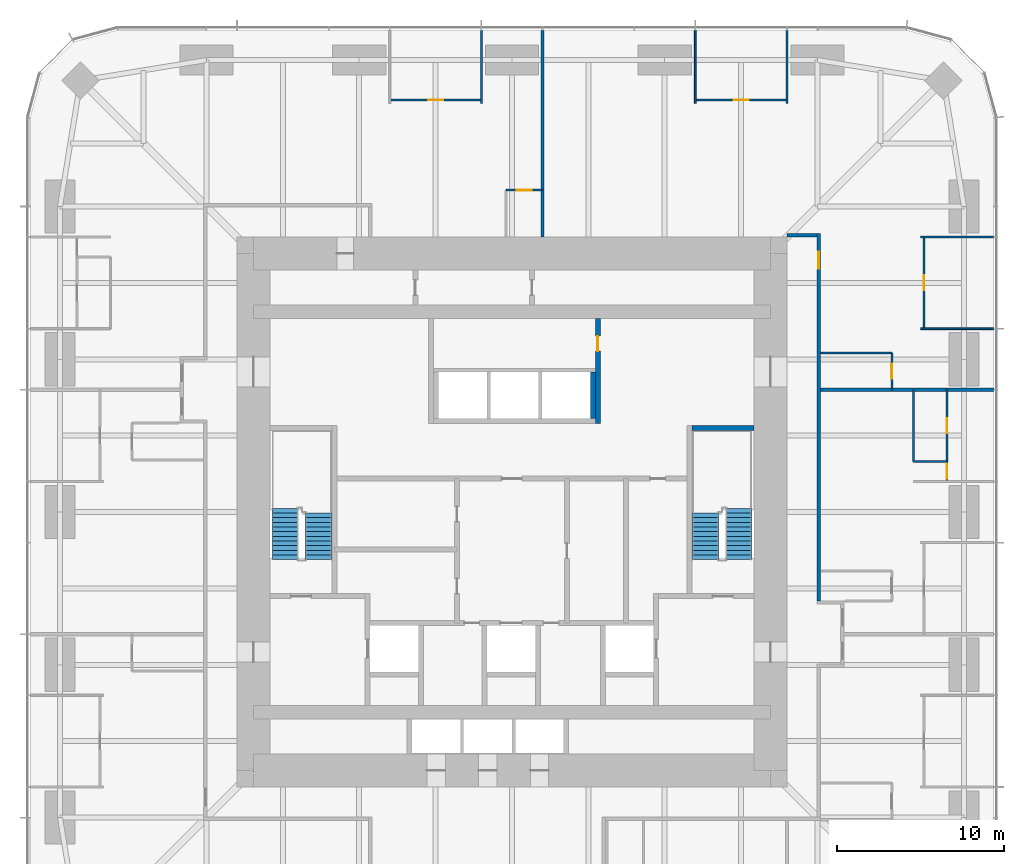
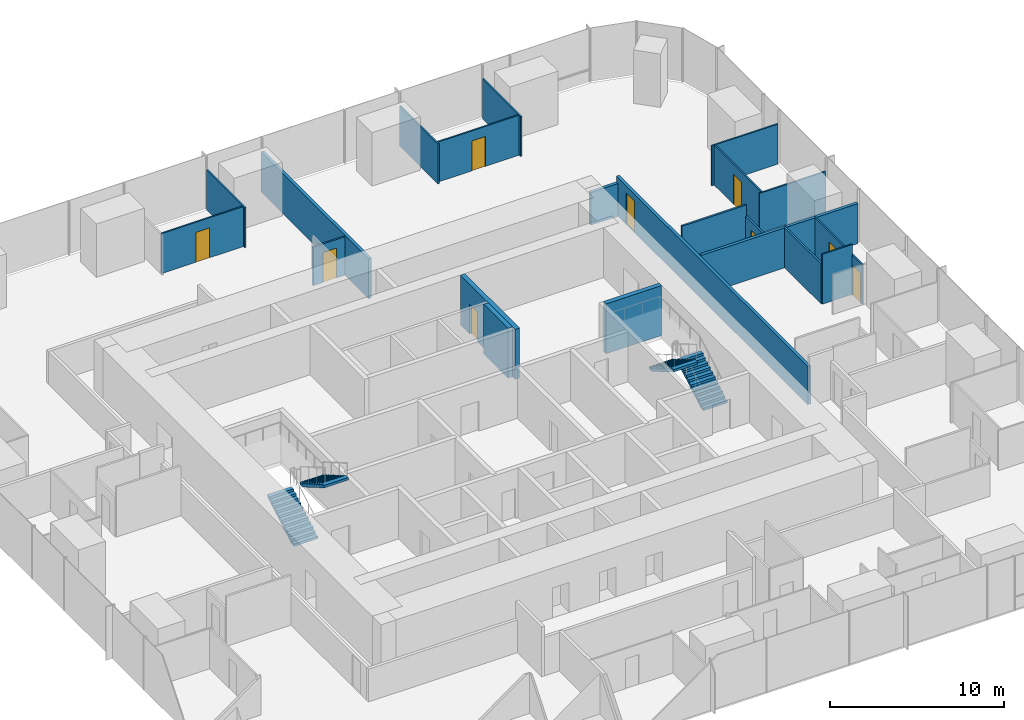
# One storey, part 12 of 13: 21 walls, 9 doors, 4 stair flights, 9 openings, 2 elements without a shape of their own.
"""IFC4 building model written with IfcOpenShell, lengths in metres."""

import ifcopenshell
import ifcopenshell.guid

model = None  # the IFC model being written
_history = None  # IfcOwnerHistory: only IFC2X3 demands one
_inside = {}  # id of a spatial element -> (the spatial element, [elements in it])
_under = {}  # id of a project, library or spatial element -> (it, [spatial elements below it])
_declared = {}  # id of a project -> (the project, [libraries it declares])
_typed = {}  # id of a type object -> (the type object, [elements of that type])
_made_of = {}  # id of a material, layer set ... -> (it, [elements and type objects made of it])


def new_model(schema):
    """Start an empty IFC model of exactly this schema.

    Asked for "IFC4X3", IfcOpenShell would pick the latest addendum, in which some entities
    have other attributes; the version numbers below select the first issue.
    IFC2X3 requires an IfcOwnerHistory on every rooted entity: one is made here for all.
    """
    global model, _history
    if schema == "IFC4X3":
        model = ifcopenshell.file(schema_version=(4, 3, 0, 0))
    else:
        model = ifcopenshell.file(schema=schema)
    _inside.clear()
    _under.clear()
    _declared.clear()
    _typed.clear()
    _made_of.clear()
    _history = None
    if model.schema == "IFC2X3":
        org = make("IfcOrganization", Name="unknown")
        user = make(
            "IfcPersonAndOrganization",
            ThePerson=make("IfcPerson", FamilyName="unknown"),
            TheOrganization=org,
        )
        app = make(
            "IfcApplication",
            ApplicationDeveloper=org,
            Version="unknown",
            ApplicationFullName="unknown",
            ApplicationIdentifier="unknown",
        )
        _history = make(
            "IfcOwnerHistory",
            OwningUser=user,
            OwningApplication=app,
            ChangeAction="ADDED",
            CreationDate=0,
        )
    return model


def make(cls, **values):
    """One entity of the class cls with the attributes given. An attribute that is None is left unset."""
    return model.create_entity(
        cls, **{name: value for name, value in values.items() if value is not None}
    )


def rooted(cls, **values):
    """An entity with a GlobalId (a new one), such as an element, a storey or a relation."""
    return make(cls, GlobalId=ifcopenshell.guid.new(), OwnerHistory=_history, **values)


def si_unit(unit_type, name, prefix=None):
    """IfcSIUnit, for example si_unit("LENGTHUNIT", "METRE", prefix="MILLI")."""
    return make("IfcSIUnit", UnitType=unit_type, Prefix=prefix, Name=name)


def assignment(units):
    """IfcUnitAssignment: the units of a project."""
    return None if units is None else make("IfcUnitAssignment", Units=units)


def point(xyz):
    """IfcCartesianPoint."""
    return None if xyz is None else make("IfcCartesianPoint", Coordinates=xyz)


def direction(xyz):
    """IfcDirection."""
    return None if xyz is None else make("IfcDirection", DirectionRatios=xyz)


def frame(location, z_axis=None, x_axis=None):
    """IfcAxis2Placement3D, a coordinate frame: its origin and axes. An axis left out is left unset."""
    return make(
        "IfcAxis2Placement3D",
        Location=point(location),
        Axis=direction(z_axis),
        RefDirection=direction(x_axis),
    )


def frame_2d(location, x_axis=None):
    """IfcAxis2Placement2D, a coordinate frame in the plane: its origin and x axis."""
    return make(
        "IfcAxis2Placement2D", Location=point(location), RefDirection=direction(x_axis)
    )


def origin():
    """The frame at (0, 0, 0) with its axes left unset."""
    return frame((0.0, 0.0, 0.0))


def place(relative_to, where):
    """IfcLocalPlacement: puts the frame where relative to a parent placement (None: the world)."""
    return make(
        "IfcLocalPlacement", PlacementRelTo=relative_to, RelativePlacement=where
    )


def context(
    kind, dimensions, precision=None, world=None, true_north=None, identifier=None
):
    """IfcGeometricRepresentationContext, for example the 3D "Model" context."""
    return make(
        "IfcGeometricRepresentationContext",
        ContextIdentifier=identifier,
        ContextType=kind,
        CoordinateSpaceDimension=dimensions,
        Precision=precision,
        WorldCoordinateSystem=world,
        TrueNorth=true_north,
    )


def subcontext(parent, identifier, kind, view, scale=None):
    """IfcGeometricRepresentationSubContext, for example "Body" below "Model"."""
    return make(
        "IfcGeometricRepresentationSubContext",
        ContextIdentifier=identifier,
        ContextType=kind,
        ParentContext=parent,
        TargetScale=scale,
        TargetView=view,
    )


def project(units=None, contexts=None):
    """IfcProject with its units and contexts."""
    return rooted(
        "IfcProject",
        Name="project",
        RepresentationContexts=contexts,
        UnitsInContext=assignment(units),
    )


def spatial(cls, under=None, at=None, **own):
    """A site, building, storey or space (cls), placed at a placement, below another one or the project."""
    s = rooted(cls, ObjectPlacement=at, **own)
    if under is not None:
        _under.setdefault(under.id(), (under, []))[1].append(s)
    return s


def polyline(points):
    """IfcPolyline through the points."""
    return make("IfcPolyline", Points=[point(p) for p in points])


def profile(cls, at=None, kind="AREA", **sizes):
    """A parametric profile (cls). Its sizes go by their IFC names, for example OverallWidth=200.0."""
    return make(cls, ProfileType=kind, Position=at, **sizes)


def rectangle(**sizes):
    """IfcRectangleProfileDef."""
    return profile("IfcRectangleProfileDef", **sizes)


def outline(outer, holes=None, kind="AREA"):
    """IfcArbitraryClosedProfileDef: a profile drawn as a closed curve; with holes, ...WithVoids."""
    if holes is None:
        return make("IfcArbitraryClosedProfileDef", ProfileType=kind, OuterCurve=outer)
    return make(
        "IfcArbitraryProfileDefWithVoids",
        ProfileType=kind,
        OuterCurve=outer,
        InnerCurves=holes,
    )


def extrude(swept, where, along, depth):
    """IfcExtrudedAreaSolid: the profile swept, set in the frame where, extruded along a direction by depth."""
    return make(
        "IfcExtrudedAreaSolid",
        SweptArea=swept,
        Position=where,
        ExtrudedDirection=direction(along),
        Depth=depth,
    )


def shape(context_of_items, identifier, shape_type, items):
    """IfcShapeRepresentation: the items that make up one representation, for example the "Body"."""
    return make(
        "IfcShapeRepresentation",
        ContextOfItems=context_of_items,
        RepresentationIdentifier=identifier,
        RepresentationType=shape_type,
        Items=items,
    )


def material(Name=None, Category=None):
    """IfcMaterial."""
    return make("IfcMaterial", Name=Name, Category=Category)


def layer(
    of_material, thickness, ventilated=None, Name=None, Category=None, Priority=None
):
    """IfcMaterialLayer: one layer of a wall or slab, of a material (None: an air gap)."""
    return make(
        "IfcMaterialLayer",
        Material=of_material,
        LayerThickness=thickness,
        IsVentilated=ventilated,
        Name=Name,
        Category=Category,
        Priority=Priority,
    )


def layer_set(layers, Name=None):
    """IfcMaterialLayerSet."""
    return make("IfcMaterialLayerSet", MaterialLayers=layers, LayerSetName=Name)


def made_of(thing, what):
    """Note that an element or type object is made of a material, layer set ...; save() writes the relation."""
    if what is not None:
        _made_of.setdefault(what.id(), (what, []))[1].append(thing)
    return thing


def type_object(cls, material=None, **own):
    """A type object (cls), such as IfcWallType, which elements share."""
    return made_of(rooted(cls, **own), material)


def element(
    cls,
    number,
    at=None,
    inside=None,
    cuts=None,
    type_object=None,
    material=None,
    context=None,
    identifier="Body",
    shape_type=None,
    held_by="IfcProductDefinitionShape",
    body=None,
    shapes=None,
    **own,
):
    """One element of the class cls, such as IfcWall. Its Tag is "e" and its number.

    at: its placement. inside: the storey or other place that contains it. cuts: it is an
    opening in that element (IfcRelVoidsElement). A single representation is given by context,
    identifier, shape_type and body (its items); several are given by shapes. held_by: the class
    of the entity that holds the representations. save() writes the other relations.
    """
    e = rooted(cls, Tag="e%d" % number, ObjectPlacement=at, **own)
    if body is not None:
        shapes = [shape(context, identifier, shape_type, body)]
    if shapes is not None:
        e.Representation = make(held_by, Representations=shapes)
    if inside is not None:
        _inside.setdefault(inside.id(), (inside, []))[1].append(e)
    if cuts is not None:
        rooted(
            "IfcRelVoidsElement", RelatingBuildingElement=cuts, RelatedOpeningElement=e
        )
    if type_object is not None:
        _typed.setdefault(type_object.id(), (type_object, []))[1].append(e)
    return made_of(e, material)


def fill(opening, filler):
    """IfcRelFillsElement: the door or window that sits in an opening."""
    return rooted(
        "IfcRelFillsElement",
        RelatingOpeningElement=opening,
        RelatedBuildingElement=filler,
    )


def aggregate(whole, parts):
    """IfcRelAggregates: a whole, such as a stair, and the parts it consists of."""
    return rooted("IfcRelAggregates", RelatingObject=whole, RelatedObjects=parts)


def save(model, path):
    """Write the relations noted so far, then the file.

    IfcRelAggregates (storeys below a building ...), IfcRelContainedInSpatialStructure (elements
    in a storey), IfcRelDefinesByType, IfcRelAssociatesMaterial and IfcRelDeclares: one each for
    every whole, place, type object, material and project.
    """
    for whole, parts in _under.values():
        aggregate(whole, parts)
    for where, things in _inside.values():
        rooted(
            "IfcRelContainedInSpatialStructure",
            RelatedElements=things,
            RelatingStructure=where,
        )
    for kind, things in _typed.values():
        rooted("IfcRelDefinesByType", RelatedObjects=things, RelatingType=kind)
    for what, things in _made_of.values():
        rooted("IfcRelAssociatesMaterial", RelatedObjects=things, RelatingMaterial=what)
    for by, libraries in _declared.values():
        rooted("IfcRelDeclares", RelatingContext=by, RelatedDefinitions=libraries)
    model.write(path)


model = new_model("IFC4")

# Units and contexts
model_context = context("Model", 3, precision=1e-05, world=origin(), true_north=direction((0.0, 1.0)))
body_context = subcontext(model_context, "Body", "Model", "MODEL_VIEW")
ifc_project = project(units=[si_unit("LENGTHUNIT", "METRE"), si_unit("AREAUNIT", "SQUARE_METRE"), si_unit("VOLUMEUNIT", "CUBIC_METRE"), si_unit("PLANEANGLEUNIT", "RADIAN"), si_unit("MASSUNIT", "GRAM", prefix="KILO")], contexts=[model_context])

# Site, building, storey
site_placement = place(None, origin())
site = spatial("IfcSite", under=ifc_project, at=site_placement, CompositionType="ELEMENT")
building_placement = place(site_placement, origin())
building = spatial("IfcBuilding", under=site, at=building_placement, Name="Khuree Lantern Residences", CompositionType="ELEMENT")
storey_placement = place(building_placement, frame((0.0, 0.0, 126.0)))
storey = spatial("IfcBuildingStorey", under=building, at=storey_placement, Name="L31", CompositionType="ELEMENT", Elevation=126.0)

# Wall
ifc_material_1 = material(Name="Moisture-resistant gypsum board on steel studs", Category="steel")
ifc_layer_1 = layer(ifc_material_1, 0.125)
ifc_layer_set_1 = layer_set([ifc_layer_1], Name="BATHROOM WALL BTW125")
wall_type_1 = type_object("IfcWallType", Name="BATHROOM WALL BTW125", PredefinedType="PARTITIONING", material=ifc_layer_set_1)
wall_1_placement = place(storey_placement, frame((24.079833984375, 3.031982421875, 0.0), z_axis=(0.0, 0.0, 1.0), x_axis=(0.0, 1.0, 0.0)))
element("IfcWall", 1, at=wall_1_placement, inside=storey, type_object=wall_type_1, Name="L31 BATHROOM WALL 01", PredefinedType="PARTITIONING", context=body_context, shape_type="SweptSolid", body=[
    extrude(rectangle(XDim=4.2958984375, YDim=0.125, at=frame_2d((2.14794921875, 0.0))), origin(), (0.0, 0.0, 1.0), 2.81005859375),
])

# Wall, opening, door
wall_2_placement = place(storey_placement, frame((22.77978515625, 7.327880859375, 0.0), z_axis=(0.0, 0.0, 1.0), x_axis=(0.0, 1.0, 0.0)))
wall_2 = element("IfcWall", 2, at=wall_2_placement, inside=storey, type_object=wall_type_1, Name="L31 BATHROOM WALL 02", PredefinedType="PARTITIONING", context=body_context, shape_type="SweptSolid", body=[
    extrude(rectangle(XDim=2.2001953125, YDim=0.125, at=frame_2d((1.10009765625, 0.0))), origin(), (0.0, 0.0, 1.0), 2.699951171875),
])
opening_1_placement = place(wall_2_placement, frame((0.64990234375, 0.0, 0.0)))
opening_1 = element("IfcOpeningElement", 3, at=opening_1_placement, cuts=wall_2, Name="Opening 31-031", PredefinedType="OPENING", context=body_context, shape_type="SweptSolid", body=[
    extrude(rectangle(XDim=0.89990234375, YDim=2.10009765625, at=frame_2d((0.449951171875, 1.050048828125))), frame((0.0, 0.072509765625, 0.0), z_axis=(0.0, -1.0, 0.0), x_axis=(1.0, 0.0, 0.0)), (0.0, 0.0, 1.0), 0.14501953125),
])
ifc_material_2 = material(Name="Timber door leaf in hardwood frame", Category="wood")
door_type_1 = type_object("IfcDoorType", Name="BATHROOM DOOR 900X2100", OperationType="SINGLE_SWING_LEFT", PredefinedType="DOOR", material=ifc_material_2)
door_1_placement = place(opening_1_placement, origin())
door_1 = element("IfcDoor", 4, at=door_1_placement, inside=storey, type_object=door_type_1, Name="Bathroom door 31-031", OperationType="SINGLE_SWING_LEFT", OverallHeight=2.10009765625, OverallWidth=0.89990234375, PredefinedType="DOOR", context=body_context, shape_type="SweptSolid", body=[
    extrude(rectangle(XDim=0.89990234375, YDim=2.10009765625, at=frame_2d((0.449951171875, 1.050048828125))), frame((0.0, 0.02490234375, 0.0), z_axis=(0.0, -1.0, 0.0), x_axis=(1.0, 0.0, 0.0)), (0.0, 0.0, 1.0), 0.050048828125),
])
fill(opening_1, door_1)

# Wall
wall_3_placement = place(storey_placement, frame((18.5, 9.528076171875, 0.0), z_axis=(0.0, 0.0, 1.0), x_axis=(1.0, 0.0, 0.0)))
element("IfcWall", 5, at=wall_3_placement, inside=storey, type_object=wall_type_1, Name="L31 BATHROOM WALL 02", PredefinedType="PARTITIONING", context=body_context, shape_type="SweptSolid", body=[
    extrude(rectangle(XDim=4.27978515625, YDim=0.125, at=frame_2d((2.139892578125, 0.0))), origin(), (0.0, 0.0, 1.0), 3.5),
])

# Wall, opening, door
wall_4_placement = place(storey_placement, frame((1.83203125, 19.300048828125, 0.0), z_axis=(0.0, 0.0, 1.0), x_axis=(-1.0, 0.0, 0.0)))
wall_4 = element("IfcWall", 6, at=wall_4_placement, inside=storey, type_object=wall_type_1, Name="L31 BATHROOM WALL 03", PredefinedType="PARTITIONING", context=body_context, shape_type="SweptSolid", body=[
    extrude(rectangle(XDim=2.199951171875, YDim=0.125, at=frame_2d((1.10009765625, 0.0))), origin(), (0.0, 0.0, 1.0), 2.699951171875),
])
opening_2_placement = place(wall_4_placement, frame((0.64990234375, 0.0, 0.0)))
opening_2 = element("IfcOpeningElement", 7, at=opening_2_placement, cuts=wall_4, Name="Opening 31-036", PredefinedType="OPENING", context=body_context, shape_type="SweptSolid", body=[
    extrude(rectangle(XDim=0.89990234375, YDim=2.10009765625, at=frame_2d((0.449951171875, 1.050048828125))), frame((0.0, 0.072509765625, 0.0), z_axis=(0.0, -1.0, 0.0), x_axis=(1.0, 0.0, 0.0)), (0.0, 0.0, 1.0), 0.14501953125),
])
door_2_placement = place(opening_2_placement, origin())
door_2 = element("IfcDoor", 8, at=door_2_placement, inside=storey, type_object=door_type_1, Name="Bathroom door 31-036", OperationType="SINGLE_SWING_LEFT", OverallHeight=2.10009765625, OverallWidth=0.89990234375, PredefinedType="DOOR", context=body_context, shape_type="SweptSolid", body=[
    extrude(rectangle(XDim=0.89990234375, YDim=2.10009765625, at=frame_2d((0.449951171875, 1.050048828125))), frame((0.0, 0.02490234375, 0.0), z_axis=(0.0, -1.0, 0.0), x_axis=(1.0, 0.0, 0.0)), (0.0, 0.0, 1.0), 0.050048828125),
])
fill(opening_2, door_2)

# Wall
ifc_material_3 = material(Name="Dense concrete blockwork", Category="masonry")
ifc_layer_2 = layer(ifc_material_3, 0.300048828125)
ifc_layer_set_2 = layer_set([ifc_layer_2], Name="CORE PARTITION WALL CPW300 EI 120")
wall_type_2 = type_object("IfcWallType", Name="CORE PARTITION WALL CPW300 EI 120", PredefinedType="PARTITIONING", material=ifc_layer_set_2)
wall_5_placement = place(storey_placement, frame((4.85009765625, 5.60009765625, 0.0), z_axis=(0.0, 0.0, 1.0), x_axis=(0.0, 1.0, 0.0)))
element("IfcWall", 9, at=wall_5_placement, inside=storey, type_object=wall_type_2, Name="L31 CORE WALL PHE", PredefinedType="PARTITIONING", context=body_context, shape_type="SweptSolid", body=[
    extrude(rectangle(XDim=2.7998046875, YDim=0.300048828125, at=frame_2d((1.39990234375, 0.0))), origin(), (0.0, 0.0, 1.0), 3.5),
])

# Wall, opening, door
wall_6_placement = place(storey_placement, frame((5.14990234375, 5.300048828125, 0.0), z_axis=(0.0, 0.0, 1.0), x_axis=(0.0, 1.0, 0.0)))
wall_6 = element("IfcWall", 10, at=wall_6_placement, inside=storey, type_object=wall_type_2, Name="L31 CORE WALL NE", PredefinedType="PARTITIONING", context=body_context, shape_type="SweptSolid", body=[
    extrude(rectangle(XDim=6.300048828125, YDim=0.300048828125, at=frame_2d((3.14990234375, 0.0))), origin(), (0.0, 0.0, 1.0), 3.5),
])
opening_3_placement = place(wall_6_placement, frame((4.35009765625, 0.0, 0.0)))
opening_3 = element("IfcOpeningElement", 11, at=opening_3_placement, cuts=wall_6, Name="Opening 31-020", PredefinedType="OPENING", context=body_context, shape_type="SweptSolid", body=[
    extrude(rectangle(XDim=0.89990234375, YDim=2.10009765625, at=frame_2d((0.449951171875, 1.050048828125))), frame((0.0, 0.16015625, 0.0), z_axis=(0.0, -1.0, 0.0), x_axis=(1.0, 0.0, 0.0)), (0.0, 0.0, 1.0), 0.320068359375),
])
door_type_2 = type_object("IfcDoorType", Name="DOOR 900X2100", OperationType="SINGLE_SWING_LEFT", PredefinedType="DOOR", material=ifc_material_2)
door_3_placement = place(opening_3_placement, origin())
door_3 = element("IfcDoor", 12, at=door_3_placement, inside=storey, type_object=door_type_2, Name="Residents' store door 31-020", OperationType="SINGLE_SWING_LEFT", OverallHeight=2.10009765625, OverallWidth=0.89990234375, PredefinedType="DOOR", context=body_context, shape_type="SweptSolid", body=[
    extrude(rectangle(XDim=0.89990234375, YDim=2.10009765625, at=frame_2d((0.449951171875, 1.050048828125))), frame((0.0, 0.02490234375, 0.0), z_axis=(0.0, -1.0, 0.0), x_axis=(1.0, 0.0, 0.0)), (0.0, 0.0, 1.0), 0.050048828125),
])
fill(opening_3, door_3)

# Wall
ifc_material_4 = material(Name="Gypsum board on steel studs", Category="steel")
ifc_layer_3 = layer(ifc_material_4, 0.199951171875)
ifc_layer_set_3 = layer_set([ifc_layer_3], Name="CORRIDOR WALL CRW200 EI 60")
wall_type_3 = type_object("IfcWallType", Name="CORRIDOR WALL CRW200 EI 60", PredefinedType="PARTITIONING", material=ifc_layer_set_3)
wall_7_placement = place(storey_placement, frame((16.5, 16.60009765625, 0.0), z_axis=(0.0, 0.0, 1.0), x_axis=(1.0, 0.0, 0.0)))
element("IfcWall", 13, at=wall_7_placement, inside=storey, type_object=wall_type_3, Name="L31 EAST CORRIDOR NORTH END WALL", PredefinedType="PARTITIONING", context=body_context, shape_type="SweptSolid", body=[
    extrude(rectangle(XDim=1.800048828125, YDim=0.199951171875, at=frame_2d((0.89990234375, 0.0))), origin(), (0.0, 0.0, 1.0), 2.300048828125),
])

# Wall, opening, door
wall_8_placement = place(storey_placement, frame((18.39990234375, -5.327880859375, 0.0), z_axis=(0.0, 0.0, 1.0), x_axis=(0.0, 1.0, 0.0)))
wall_8 = element("IfcWall", 14, at=wall_8_placement, inside=storey, type_object=wall_type_3, Name="L31 CORRIDOR WALL EAST 2", PredefinedType="PARTITIONING", context=body_context, shape_type="SweptSolid", body=[
    extrude(rectangle(XDim=22.02783203125, YDim=0.199951171875, at=frame_2d((11.013916015625, 0.0))), origin(), (0.0, 0.0, 1.0), 2.699951171875),
])
opening_4_placement = place(wall_8_placement, frame((19.926025390625, 0.0, 0.0)))
opening_4 = element("IfcOpeningElement", 15, at=opening_4_placement, cuts=wall_8, Name="Opening 31-032", PredefinedType="OPENING", context=body_context, shape_type="SweptSolid", body=[
    extrude(rectangle(XDim=1.0, YDim=2.199951171875, at=frame_2d((0.5, 1.10009765625))), frame((0.0, 0.10986328125, 0.0), z_axis=(0.0, -1.0, 0.0), x_axis=(1.0, 0.0, 0.0)), (0.0, 0.0, 1.0), 0.219970703125),
])
door_type_3 = type_object("IfcDoorType", Name="APARTMENT ENTRANCE DOOR 1000X2200 EI 30S RIGHT HAND", OperationType="SINGLE_SWING_RIGHT", PredefinedType="DOOR", material=ifc_material_2)
door_4_placement = place(opening_4_placement, origin())
door_4 = element("IfcDoor", 16, at=door_4_placement, inside=storey, type_object=door_type_3, Name="Apartment 02 entrance door 31-032", OperationType="SINGLE_SWING_RIGHT", OverallHeight=2.199951171875, OverallWidth=1.0, PredefinedType="DOOR", context=body_context, shape_type="SweptSolid", body=[
    extrude(rectangle(XDim=1.0, YDim=2.199951171875, at=frame_2d((0.5, 1.10009765625))), frame((0.0, 0.02490234375, 0.0), z_axis=(0.0, -1.0, 0.0), x_axis=(1.0, 0.0, 0.0)), (0.0, 0.0, 1.0), 0.050048828125),
])
fill(opening_4, door_4)

# Walls
ifc_layer_4 = layer(ifc_material_4, 0.199951171875)
ifc_layer_set_4 = layer_set([ifc_layer_4], Name="DEMISING WALL DMW200 EI 90")
wall_type_4 = type_object("IfcWallType", Name="DEMISING WALL DMW200 EI 90", PredefinedType="PARTITIONING", material=ifc_layer_set_4)
wall_9_placement = place(storey_placement, frame((18.5, 7.327880859375, 0.0), z_axis=(0.0, 0.0, 1.0), x_axis=(1.0, 0.0, 0.0)))
element("IfcWall", 17, at=wall_9_placement, inside=storey, type_object=wall_type_4, Name="L31 DEMISING WALL 02", PredefinedType="PARTITIONING", context=body_context, shape_type="SweptSolid", body=[
    extrude(rectangle(XDim=10.39990234375, YDim=0.199951171875, at=frame_2d((5.199951171875, 0.0))), origin(), (0.0, 0.0, 1.0), 2.81005859375),
])
wall_10_placement = place(storey_placement, frame((1.83203125, 16.5, 0.0), z_axis=(0.0, 0.0, 1.0), x_axis=(0.0, 1.0, 0.0)))
element("IfcWall", 18, at=wall_10_placement, inside=storey, type_object=wall_type_4, Name="L31 DEMISING WALL 03", PredefinedType="PARTITIONING", context=body_context, shape_type="SweptSolid", body=[
    extrude(rectangle(XDim=12.39990234375, YDim=0.199951171875, at=frame_2d((6.199951171875, 0.0))), origin(), (0.0, 0.0, 1.0), 2.81005859375),
])
ifc_layer_5 = layer(ifc_material_4, 0.10009765625)
ifc_layer_set_5 = layer_set([ifc_layer_5], Name="PARTITION PT100")
wall_type_5 = type_object("IfcWallType", Name="PARTITION PT100", PredefinedType="PARTITIONING", material=ifc_layer_set_5)
for number, where, z_axis, x_axis, name in (
    (19, (24.5, 10.991943359375, 0.0), (0.0, 0.0, 1.0), (1.0, 0.0, 0.0), "L31 PARTITION 02"),
    (20, (24.5, 16.488037109375, 0.0), (0.0, 0.0, 1.0), (1.0, 0.0, 0.0), "L31 PARTITION 02"),
    (21, (16.488037109375, 24.5, 0.0), (0.0, 0.0, 1.0), (0.0, 1.0, 0.0), "L31 PARTITION 02"),
    (22, (10.991943359375, 24.5, 0.0), (0.0, 0.0, 1.0), (0.0, 1.0, 0.0), "L31 PARTITION 02"),
    (23, (-1.83203125, 24.5, 0.0), (0.0, 0.0, 1.0), (0.0, 1.0, 0.0), "L31 PARTITION 03"),
):
    element("IfcWall", number, at=place(storey_placement, frame(where, z_axis=z_axis, x_axis=x_axis)), inside=storey, type_object=wall_type_5, Name=name, PredefinedType="PARTITIONING", context=body_context, shape_type="SweptSolid", body=[
        extrude(rectangle(XDim=4.39990234375, YDim=0.10009765625, at=frame_2d((2.199951171875, 0.0))), origin(), (0.0, 0.0, 1.0), 2.81005859375),
    ])

# Wall, openings, doors
wall_11_placement = place(storey_placement, frame((26.079833984375, 1.83203125, 0.0), z_axis=(0.0, 0.0, 1.0), x_axis=(0.0, 1.0, 0.0)))
wall_11 = element("IfcWall", 24, at=wall_11_placement, inside=storey, type_object=wall_type_5, Name="L31 PARTITION 01", PredefinedType="PARTITIONING", context=body_context, shape_type="SweptSolid", body=[
    extrude(rectangle(XDim=5.495849609375, YDim=0.10009765625, at=frame_2d((2.748046875, 0.0))), origin(), (0.0, 0.0, 1.0), 2.81005859375),
])
opening_5_placement = place(wall_11_placement, frame((0.14990234375, 0.0, 0.0)))
opening_5 = element("IfcOpeningElement", 25, at=opening_5_placement, cuts=wall_11, Name="Opening 31-025", PredefinedType="OPENING", context=body_context, shape_type="SweptSolid", body=[
    extrude(rectangle(XDim=0.89990234375, YDim=2.10009765625, at=frame_2d((0.449951171875, 1.050048828125))), frame((0.0, 0.06005859375, 0.0), z_axis=(0.0, -1.0, 0.0), x_axis=(1.0, 0.0, 0.0)), (0.0, 0.0, 1.0), 0.1201171875),
])
opening_6_placement = place(wall_11_placement, frame((2.89794921875, 0.0, 0.0)))
opening_6 = element("IfcOpeningElement", 26, at=opening_6_placement, cuts=wall_11, Name="Opening 31-026", PredefinedType="OPENING", context=body_context, shape_type="SweptSolid", body=[
    extrude(rectangle(XDim=0.89990234375, YDim=2.10009765625, at=frame_2d((0.449951171875, 1.050048828125))), frame((0.0, 0.06005859375, 0.0), z_axis=(0.0, -1.0, 0.0), x_axis=(1.0, 0.0, 0.0)), (0.0, 0.0, 1.0), 0.1201171875),
])
door_5_placement = place(opening_6_placement, origin())
door_5 = element("IfcDoor", 27, at=door_5_placement, inside=storey, type_object=door_type_1, Name="Bathroom door 31-026", OperationType="SINGLE_SWING_LEFT", OverallHeight=2.10009765625, OverallWidth=0.89990234375, PredefinedType="DOOR", context=body_context, shape_type="SweptSolid", body=[
    extrude(rectangle(XDim=0.89990234375, YDim=2.10009765625, at=frame_2d((0.449951171875, 1.050048828125))), frame((0.0, 0.02490234375, 0.0), z_axis=(0.0, -1.0, 0.0), x_axis=(1.0, 0.0, 0.0)), (0.0, 0.0, 1.0), 0.050048828125),
])
fill(opening_6, door_5)
door_type_4 = type_object("IfcDoorType", Name="BEDROOM DOOR 900X2100", OperationType="SINGLE_SWING_LEFT", PredefinedType="DOOR", material=ifc_material_2)
door_6_placement = place(opening_5_placement, origin())
door_6 = element("IfcDoor", 28, at=door_6_placement, inside=storey, type_object=door_type_4, Name="Bedroom door 31-025", OperationType="SINGLE_SWING_LEFT", OverallHeight=2.10009765625, OverallWidth=0.89990234375, PredefinedType="DOOR", context=body_context, shape_type="SweptSolid", body=[
    extrude(rectangle(XDim=0.89990234375, YDim=2.10009765625, at=frame_2d((0.449951171875, 1.050048828125))), frame((0.0, 0.02490234375, 0.0), z_axis=(0.0, -1.0, 0.0), x_axis=(1.0, 0.0, 0.0)), (0.0, 0.0, 1.0), 0.050048828125),
])
fill(opening_5, door_6)

# Wall
wall_12_placement = place(storey_placement, frame((24.079833984375, 3.031982421875, 0.0), z_axis=(0.0, 0.0, 1.0), x_axis=(1.0, 0.0, 0.0)))
element("IfcWall", 29, at=wall_12_placement, inside=storey, type_object=wall_type_5, Name="L31 PARTITION 01", PredefinedType="PARTITIONING", context=body_context, shape_type="SweptSolid", body=[
    extrude(rectangle(XDim=2.0, YDim=0.10009765625, at=frame_2d((1.0, 0.0))), origin(), (0.0, 0.0, 1.0), 3.5),
])

# Wall, opening, door
wall_13_placement = place(storey_placement, frame((24.699951171875, 10.991943359375, 0.0), z_axis=(0.0, 0.0, 1.0), x_axis=(0.0, 1.0, 0.0)))
wall_13 = element("IfcWall", 30, at=wall_13_placement, inside=storey, type_object=wall_type_5, Name="L31 PARTITION 02", PredefinedType="PARTITIONING", context=body_context, shape_type="SweptSolid", body=[
    extrude(rectangle(XDim=5.49609375, YDim=0.10009765625, at=frame_2d((2.748046875, 0.0))), origin(), (0.0, 0.0, 1.0), 2.81005859375),
])
opening_7_placement = place(wall_13_placement, frame((2.298095703125, 0.0, 0.0)))
opening_7 = element("IfcOpeningElement", 31, at=opening_7_placement, cuts=wall_13, Name="Opening 31-029", PredefinedType="OPENING", context=body_context, shape_type="SweptSolid", body=[
    extrude(rectangle(XDim=0.89990234375, YDim=2.10009765625, at=frame_2d((0.449951171875, 1.050048828125))), frame((0.0, 0.06005859375, 0.0), z_axis=(0.0, -1.0, 0.0), x_axis=(1.0, 0.0, 0.0)), (0.0, 0.0, 1.0), 0.1201171875),
])
door_7_placement = place(opening_7_placement, origin())
door_7 = element("IfcDoor", 32, at=door_7_placement, inside=storey, type_object=door_type_4, Name="Bedroom door 31-029", OperationType="SINGLE_SWING_LEFT", OverallHeight=2.10009765625, OverallWidth=0.89990234375, PredefinedType="DOOR", context=body_context, shape_type="SweptSolid", body=[
    extrude(rectangle(XDim=0.89990234375, YDim=2.10009765625, at=frame_2d((0.449951171875, 1.050048828125))), frame((0.0, 0.02490234375, 0.0), z_axis=(0.0, -1.0, 0.0), x_axis=(1.0, 0.0, 0.0)), (0.0, 0.0, 1.0), 0.050048828125),
])
fill(opening_7, door_7)

wall_14_placement = place(storey_placement, frame((16.488037109375, 24.699951171875, 0.0), z_axis=(0.0, 0.0, 1.0), x_axis=(-1.0, 0.0, 0.0)))
wall_14 = element("IfcWall", 33, at=wall_14_placement, inside=storey, type_object=wall_type_5, Name="L31 PARTITION 02", PredefinedType="PARTITIONING", context=body_context, shape_type="SweptSolid", body=[
    extrude(rectangle(XDim=5.49609375, YDim=0.10009765625, at=frame_2d((2.748046875, 0.0))), origin(), (0.0, 0.0, 1.0), 2.81005859375),
])
opening_8_placement = place(wall_14_placement, frame((2.298095703125, 0.0, 0.0)))
opening_8 = element("IfcOpeningElement", 34, at=opening_8_placement, cuts=wall_14, Name="Opening 31-030", PredefinedType="OPENING", context=body_context, shape_type="SweptSolid", body=[
    extrude(rectangle(XDim=0.89990234375, YDim=2.10009765625, at=frame_2d((0.449951171875, 1.050048828125))), frame((0.0, 0.06005859375, 0.0), z_axis=(0.0, -1.0, 0.0), x_axis=(1.0, 0.0, 0.0)), (0.0, 0.0, 1.0), 0.1201171875),
])
door_8_placement = place(opening_8_placement, origin())
door_8 = element("IfcDoor", 35, at=door_8_placement, inside=storey, type_object=door_type_4, Name="Bedroom door 31-030", OperationType="SINGLE_SWING_LEFT", OverallHeight=2.10009765625, OverallWidth=0.89990234375, PredefinedType="DOOR", context=body_context, shape_type="SweptSolid", body=[
    extrude(rectangle(XDim=0.89990234375, YDim=2.10009765625, at=frame_2d((0.449951171875, 1.050048828125))), frame((0.0, 0.02490234375, 0.0), z_axis=(0.0, -1.0, 0.0), x_axis=(1.0, 0.0, 0.0)), (0.0, 0.0, 1.0), 0.050048828125),
])
fill(opening_8, door_8)

wall_15_placement = place(storey_placement, frame((-1.83203125, 24.699951171875, 0.0), z_axis=(0.0, 0.0, 1.0), x_axis=(-1.0, 0.0, 0.0)))
wall_15 = element("IfcWall", 36, at=wall_15_placement, inside=storey, type_object=wall_type_5, Name="L31 PARTITION 03", PredefinedType="PARTITIONING", context=body_context, shape_type="SweptSolid", body=[
    extrude(rectangle(XDim=5.495849609375, YDim=0.10009765625, at=frame_2d((2.748046875, 0.0))), origin(), (0.0, 0.0, 1.0), 2.81005859375),
])
opening_9_placement = place(wall_15_placement, frame((2.298095703125, 0.0, 0.0)))
opening_9 = element("IfcOpeningElement", 37, at=opening_9_placement, cuts=wall_15, Name="Opening 31-033", PredefinedType="OPENING", context=body_context, shape_type="SweptSolid", body=[
    extrude(rectangle(XDim=0.89990234375, YDim=2.10009765625, at=frame_2d((0.449951171875, 1.050048828125))), frame((0.0, 0.06005859375, 0.0), z_axis=(0.0, -1.0, 0.0), x_axis=(1.0, 0.0, 0.0)), (0.0, 0.0, 1.0), 0.1201171875),
])
door_9_placement = place(opening_9_placement, origin())
door_9 = element("IfcDoor", 38, at=door_9_placement, inside=storey, type_object=door_type_4, Name="Bedroom door 31-033", OperationType="SINGLE_SWING_LEFT", OverallHeight=2.10009765625, OverallWidth=0.89990234375, PredefinedType="DOOR", context=body_context, shape_type="SweptSolid", body=[
    extrude(rectangle(XDim=0.89990234375, YDim=2.10009765625, at=frame_2d((0.449951171875, 1.050048828125))), frame((0.0, 0.02490234375, 0.0), z_axis=(0.0, -1.0, 0.0), x_axis=(1.0, 0.0, 0.0)), (0.0, 0.0, 1.0), 0.050048828125),
])
fill(opening_9, door_9)

# Wall
ifc_material_5 = material(Name="Concrete C50/60", Category="concrete")
ifc_layer_6 = layer(ifc_material_5, 0.300048828125)
ifc_layer_set_6 = layer_set([ifc_layer_6], Name="STAIR WALL SRW300 C50/60 REI 240")
wall_type_6 = type_object("IfcWallType", Name="STAIR WALL SRW300 C50/60 REI 240", PredefinedType="SOLIDWALL", material=ifc_layer_set_6)
wall_16_placement = place(storey_placement, frame((14.5, 5.050048828125, 0.0), z_axis=(0.0, 0.0, 1.0), x_axis=(-1.0, 0.0, 0.0)))
element("IfcWall", 39, at=wall_16_placement, inside=storey, type_object=wall_type_6, Name="L31 STAIR WALL ST2N", PredefinedType="SOLIDWALL", context=body_context, shape_type="SweptSolid", body=[
    extrude(rectangle(XDim=3.699951171875, YDim=0.300048828125, at=frame_2d((1.85009765625, 0.0))), origin(), (0.0, 0.0, 1.0), 3.5),
])

# Stair, stair flights
ifc_material_6 = material(Name="Concrete C40/50", Category="concrete")
stair_type = type_object("IfcStairType", Name="STAIR ST1 HALF TURN 3600", PredefinedType="HALF_TURN_STAIR", material=ifc_material_6)
stair_1_placement = place(storey_placement, origin())
stair_1 = element("IfcStair", 40, at=stair_1_placement, inside=storey, type_object=stair_type, Name="Stair ST1", PredefinedType="HALF_TURN_STAIR")
stair_flight_type = type_object("IfcStairFlightType", Name="STAIR FLIGHT SF1 1600", PredefinedType="STRAIGHT", material=ifc_material_6)
stair_flight_1_placement = place(storey_placement, frame((-13.60009765625, -2.860107421875, 0.0), z_axis=(0.0, 0.0, 1.0), x_axis=(0.0, 1.0, 0.0)))
stair_flight_1 = element("IfcStairFlight", 41, at=stair_flight_1_placement, type_object=stair_flight_type, Name="ST1 flight 1", NumberOfRisers=12, NumberOfTreads=11, PredefinedType="STRAIGHT", RiserHeight=0.163043478, TreadLength=0.28, context=body_context, shape_type="SweptSolid", body=[
    extrude(outline(polyline([(0.0, 0.0), (0.0, 0.1630859375), (0.280029296875, 0.1630859375), (0.280029296875, 0.326171875), (0.56005859375, 0.326171875), (0.56005859375, 0.489013671875), (0.840087890625, 0.489013671875), (0.840087890625, 0.652099609375), (1.1201171875, 0.652099609375), (1.1201171875, 0.815185546875), (1.39990234375, 0.815185546875), (1.39990234375, 0.978271484375), (1.679931640625, 0.978271484375), (1.679931640625, 1.141357421875), (1.9599609375, 1.141357421875), (1.9599609375, 1.304443359375), (2.239990234375, 1.304443359375), (2.239990234375, 1.46728515625), (2.52001953125, 1.46728515625), (2.52001953125, 1.63037109375), (2.800048828125, 1.63037109375), (2.800048828125, 1.79345703125), (3.080078125, 1.79345703125), (3.080078125, 1.95654296875), (3.080078125, 1.6201171875), (0.2978515625, 0.0), (0.0, 0.0)])), frame((0.0, 0.800048828125, 0.0), z_axis=(0.0, -1.0, 0.0), x_axis=(1.0, 0.0, 0.0)), (0.0, 0.0, 1.0), 1.60009765625),
])
stair_flight_2_placement = place(storey_placement, frame((-11.60009765625, -0.06005859375, 1.95654296875), z_axis=(0.0, 0.0, 1.0), x_axis=(0.0, -1.0, 0.0)))
stair_flight_2 = element("IfcStairFlight", 42, at=stair_flight_2_placement, type_object=stair_flight_type, Name="ST1 flight 2", NumberOfRisers=11, NumberOfTreads=10, PredefinedType="STRAIGHT", RiserHeight=0.163043478, TreadLength=0.28, context=body_context, shape_type="SweptSolid", body=[
    extrude(outline(polyline([(0.0, 0.0), (0.0, 0.1630859375), (0.280029296875, 0.1630859375), (0.280029296875, 0.326171875), (0.56005859375, 0.326171875), (0.56005859375, 0.489013671875), (0.840087890625, 0.489013671875), (0.840087890625, 0.652099609375), (1.1201171875, 0.652099609375), (1.1201171875, 0.815185546875), (1.39990234375, 0.815185546875), (1.39990234375, 0.978271484375), (1.679931640625, 0.978271484375), (1.679931640625, 1.141357421875), (1.9599609375, 1.141357421875), (1.9599609375, 1.304443359375), (2.239990234375, 1.304443359375), (2.239990234375, 1.46728515625), (2.52001953125, 1.46728515625), (2.52001953125, 1.63037109375), (2.800048828125, 1.63037109375), (2.800048828125, 1.79345703125), (2.800048828125, 1.45703125), (0.2978515625, 0.0), (0.0, 0.0)])), frame((0.0, 0.800048828125, 0.0), z_axis=(0.0, -1.0, 0.0), x_axis=(1.0, 0.0, 0.0)), (0.0, 0.0, 1.0), 1.60009765625),
])
aggregate(stair_1, [stair_flight_1, stair_flight_2])

stair_2_placement = place(storey_placement, origin())
stair_2 = element("IfcStair", 43, at=stair_2_placement, inside=storey, type_object=stair_type, Name="Stair ST2", PredefinedType="HALF_TURN_STAIR")
stair_flight_3_placement = place(storey_placement, frame((13.60009765625, -2.860107421875, 0.0), z_axis=(0.0, 0.0, 1.0), x_axis=(0.0, 1.0, 0.0)))
stair_flight_3 = element("IfcStairFlight", 44, at=stair_flight_3_placement, type_object=stair_flight_type, Name="ST2 flight 1", NumberOfRisers=12, NumberOfTreads=11, PredefinedType="STRAIGHT", RiserHeight=0.163043478, TreadLength=0.28, context=body_context, shape_type="SweptSolid", body=[
    extrude(outline(polyline([(0.0, 0.0), (0.0, 0.1630859375), (0.280029296875, 0.1630859375), (0.280029296875, 0.326171875), (0.56005859375, 0.326171875), (0.56005859375, 0.489013671875), (0.840087890625, 0.489013671875), (0.840087890625, 0.652099609375), (1.1201171875, 0.652099609375), (1.1201171875, 0.815185546875), (1.39990234375, 0.815185546875), (1.39990234375, 0.978271484375), (1.679931640625, 0.978271484375), (1.679931640625, 1.141357421875), (1.9599609375, 1.141357421875), (1.9599609375, 1.304443359375), (2.239990234375, 1.304443359375), (2.239990234375, 1.46728515625), (2.52001953125, 1.46728515625), (2.52001953125, 1.63037109375), (2.800048828125, 1.63037109375), (2.800048828125, 1.79345703125), (3.080078125, 1.79345703125), (3.080078125, 1.95654296875), (3.080078125, 1.6201171875), (0.2978515625, 0.0), (0.0, 0.0)])), frame((0.0, 0.800048828125, 0.0), z_axis=(0.0, -1.0, 0.0), x_axis=(1.0, 0.0, 0.0)), (0.0, 0.0, 1.0), 1.60009765625),
])
stair_flight_4_placement = place(storey_placement, frame((11.60009765625, -0.06005859375, 1.95654296875), z_axis=(0.0, 0.0, 1.0), x_axis=(0.0, -1.0, 0.0)))
stair_flight_4 = element("IfcStairFlight", 45, at=stair_flight_4_placement, type_object=stair_flight_type, Name="ST2 flight 2", NumberOfRisers=11, NumberOfTreads=10, PredefinedType="STRAIGHT", RiserHeight=0.163043478, TreadLength=0.28, context=body_context, shape_type="SweptSolid", body=[
    extrude(outline(polyline([(0.0, 0.0), (0.0, 0.1630859375), (0.280029296875, 0.1630859375), (0.280029296875, 0.326171875), (0.56005859375, 0.326171875), (0.56005859375, 0.489013671875), (0.840087890625, 0.489013671875), (0.840087890625, 0.652099609375), (1.1201171875, 0.652099609375), (1.1201171875, 0.815185546875), (1.39990234375, 0.815185546875), (1.39990234375, 0.978271484375), (1.679931640625, 0.978271484375), (1.679931640625, 1.141357421875), (1.9599609375, 1.141357421875), (1.9599609375, 1.304443359375), (2.239990234375, 1.304443359375), (2.239990234375, 1.46728515625), (2.52001953125, 1.46728515625), (2.52001953125, 1.63037109375), (2.800048828125, 1.63037109375), (2.800048828125, 1.79345703125), (2.800048828125, 1.45703125), (0.2978515625, 0.0), (0.0, 0.0)])), frame((0.0, 0.800048828125, 0.0), z_axis=(0.0, -1.0, 0.0), x_axis=(1.0, 0.0, 0.0)), (0.0, 0.0, 1.0), 1.60009765625),
])
aggregate(stair_2, [stair_flight_3, stair_flight_4])

save(model, "model.ifc")
